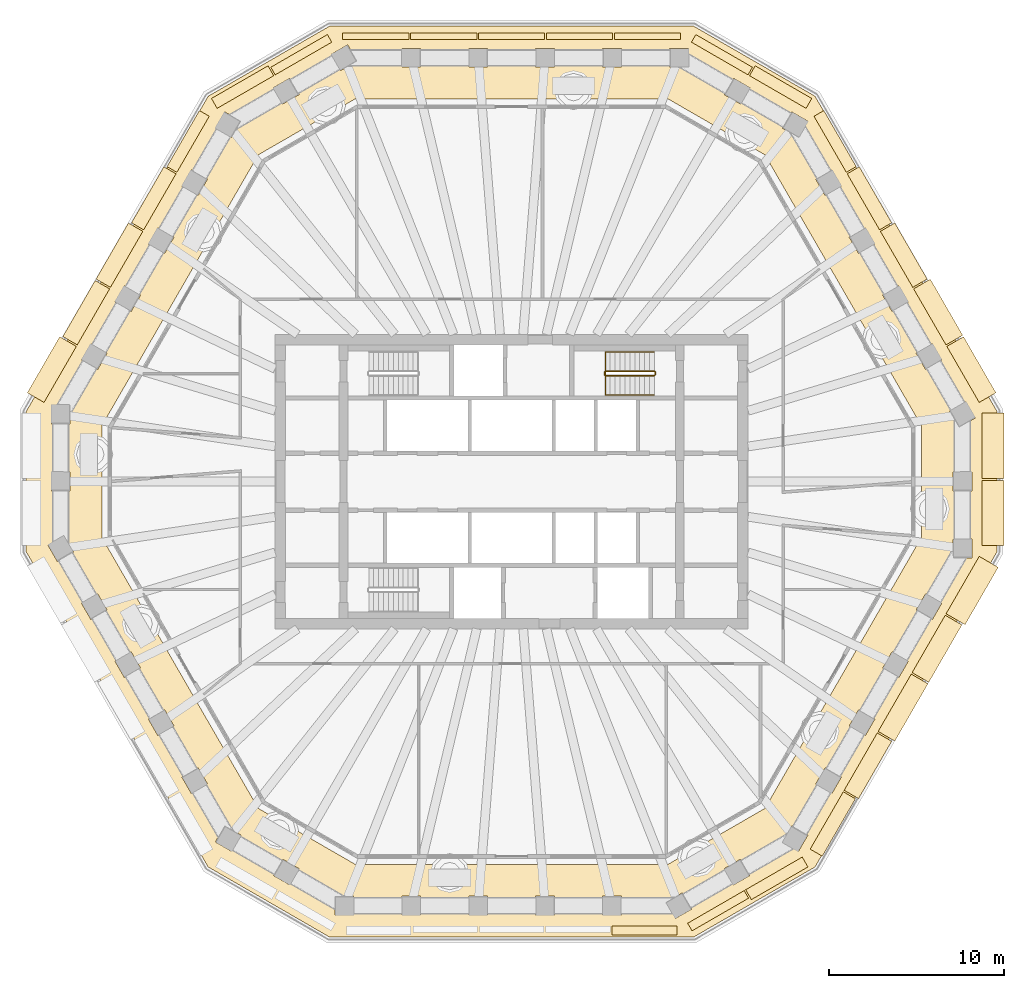
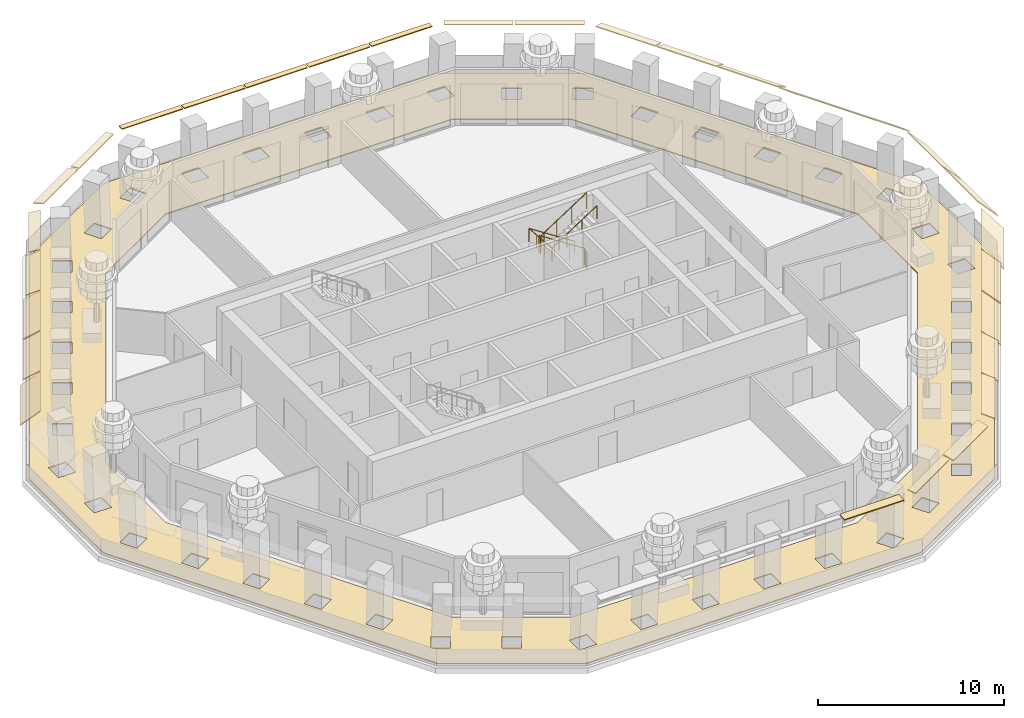
# One storey, part 9 of 12: 30 coverings, 2 railings.
"""IFC4 building model written with IfcOpenShell, lengths in metres."""

import ifcopenshell
import ifcopenshell.guid

model = None  # the IFC model being written
_history = None  # IfcOwnerHistory: only IFC2X3 demands one
_inside = {}  # id of a spatial element -> (the spatial element, [elements in it])
_under = {}  # id of a project, library or spatial element -> (it, [spatial elements below it])
_declared = {}  # id of a project -> (the project, [libraries it declares])
_typed = {}  # id of a type object -> (the type object, [elements of that type])
_made_of = {}  # id of a material, layer set ... -> (it, [elements and type objects made of it])


def new_model(schema):
    """Start an empty IFC model of exactly this schema.

    Asked for "IFC4X3", IfcOpenShell would pick the latest addendum, in which some entities
    have other attributes; the version numbers below select the first issue.
    IFC2X3 requires an IfcOwnerHistory on every rooted entity: one is made here for all.
    """
    global model, _history
    if schema == "IFC4X3":
        model = ifcopenshell.file(schema_version=(4, 3, 0, 0))
    else:
        model = ifcopenshell.file(schema=schema)
    _inside.clear()
    _under.clear()
    _declared.clear()
    _typed.clear()
    _made_of.clear()
    _history = None
    if model.schema == "IFC2X3":
        org = make("IfcOrganization", Name="unknown")
        user = make(
            "IfcPersonAndOrganization",
            ThePerson=make("IfcPerson", FamilyName="unknown"),
            TheOrganization=org,
        )
        app = make(
            "IfcApplication",
            ApplicationDeveloper=org,
            Version="unknown",
            ApplicationFullName="unknown",
            ApplicationIdentifier="unknown",
        )
        _history = make(
            "IfcOwnerHistory",
            OwningUser=user,
            OwningApplication=app,
            ChangeAction="ADDED",
            CreationDate=0,
        )
    return model


def make(cls, **values):
    """One entity of the class cls with the attributes given. An attribute that is None is left unset."""
    return model.create_entity(
        cls, **{name: value for name, value in values.items() if value is not None}
    )


def rooted(cls, **values):
    """An entity with a GlobalId (a new one), such as an element, a storey or a relation."""
    return make(cls, GlobalId=ifcopenshell.guid.new(), OwnerHistory=_history, **values)


def si_unit(unit_type, name, prefix=None):
    """IfcSIUnit, for example si_unit("LENGTHUNIT", "METRE", prefix="MILLI")."""
    return make("IfcSIUnit", UnitType=unit_type, Prefix=prefix, Name=name)


def assignment(units):
    """IfcUnitAssignment: the units of a project."""
    return None if units is None else make("IfcUnitAssignment", Units=units)


def point(xyz):
    """IfcCartesianPoint."""
    return None if xyz is None else make("IfcCartesianPoint", Coordinates=xyz)


def direction(xyz):
    """IfcDirection."""
    return None if xyz is None else make("IfcDirection", DirectionRatios=xyz)


def frame(location, z_axis=None, x_axis=None):
    """IfcAxis2Placement3D, a coordinate frame: its origin and axes. An axis left out is left unset."""
    return make(
        "IfcAxis2Placement3D",
        Location=point(location),
        Axis=direction(z_axis),
        RefDirection=direction(x_axis),
    )


def frame_2d(location, x_axis=None):
    """IfcAxis2Placement2D, a coordinate frame in the plane: its origin and x axis."""
    return make(
        "IfcAxis2Placement2D", Location=point(location), RefDirection=direction(x_axis)
    )


def origin():
    """The frame at (0, 0, 0) with its axes left unset."""
    return frame((0.0, 0.0, 0.0))


def origin_2d():
    """The frame at (0, 0) in the plane with its x axis left unset."""
    return frame_2d((0.0, 0.0))


def place(relative_to, where):
    """IfcLocalPlacement: puts the frame where relative to a parent placement (None: the world)."""
    return make(
        "IfcLocalPlacement", PlacementRelTo=relative_to, RelativePlacement=where
    )


def context(
    kind, dimensions, precision=None, world=None, true_north=None, identifier=None
):
    """IfcGeometricRepresentationContext, for example the 3D "Model" context."""
    return make(
        "IfcGeometricRepresentationContext",
        ContextIdentifier=identifier,
        ContextType=kind,
        CoordinateSpaceDimension=dimensions,
        Precision=precision,
        WorldCoordinateSystem=world,
        TrueNorth=true_north,
    )


def subcontext(parent, identifier, kind, view, scale=None):
    """IfcGeometricRepresentationSubContext, for example "Body" below "Model"."""
    return make(
        "IfcGeometricRepresentationSubContext",
        ContextIdentifier=identifier,
        ContextType=kind,
        ParentContext=parent,
        TargetScale=scale,
        TargetView=view,
    )


def project(units=None, contexts=None):
    """IfcProject with its units and contexts."""
    return rooted(
        "IfcProject",
        Name="project",
        RepresentationContexts=contexts,
        UnitsInContext=assignment(units),
    )


def spatial(cls, under=None, at=None, **own):
    """A site, building, storey or space (cls), placed at a placement, below another one or the project."""
    s = rooted(cls, ObjectPlacement=at, **own)
    if under is not None:
        _under.setdefault(under.id(), (under, []))[1].append(s)
    return s


def polyline(points):
    """IfcPolyline through the points."""
    return make("IfcPolyline", Points=[point(p) for p in points])


def profile(cls, at=None, kind="AREA", **sizes):
    """A parametric profile (cls). Its sizes go by their IFC names, for example OverallWidth=200.0."""
    return make(cls, ProfileType=kind, Position=at, **sizes)


def circle(**sizes):
    """IfcCircleProfileDef."""
    return profile("IfcCircleProfileDef", **sizes)


def outline(outer, holes=None, kind="AREA"):
    """IfcArbitraryClosedProfileDef: a profile drawn as a closed curve; with holes, ...WithVoids."""
    if holes is None:
        return make("IfcArbitraryClosedProfileDef", ProfileType=kind, OuterCurve=outer)
    return make(
        "IfcArbitraryProfileDefWithVoids",
        ProfileType=kind,
        OuterCurve=outer,
        InnerCurves=holes,
    )


def extrude(swept, where, along, depth):
    """IfcExtrudedAreaSolid: the profile swept, set in the frame where, extruded along a direction by depth."""
    return make(
        "IfcExtrudedAreaSolid",
        SweptArea=swept,
        Position=where,
        ExtrudedDirection=direction(along),
        Depth=depth,
    )


def shape(context_of_items, identifier, shape_type, items):
    """IfcShapeRepresentation: the items that make up one representation, for example the "Body"."""
    return make(
        "IfcShapeRepresentation",
        ContextOfItems=context_of_items,
        RepresentationIdentifier=identifier,
        RepresentationType=shape_type,
        Items=items,
    )


def material(Name=None, Category=None):
    """IfcMaterial."""
    return make("IfcMaterial", Name=Name, Category=Category)


def layer(
    of_material, thickness, ventilated=None, Name=None, Category=None, Priority=None
):
    """IfcMaterialLayer: one layer of a wall or slab, of a material (None: an air gap)."""
    return make(
        "IfcMaterialLayer",
        Material=of_material,
        LayerThickness=thickness,
        IsVentilated=ventilated,
        Name=Name,
        Category=Category,
        Priority=Priority,
    )


def layer_set(layers, Name=None):
    """IfcMaterialLayerSet."""
    return make("IfcMaterialLayerSet", MaterialLayers=layers, LayerSetName=Name)


def made_of(thing, what):
    """Note that an element or type object is made of a material, layer set ...; save() writes the relation."""
    if what is not None:
        _made_of.setdefault(what.id(), (what, []))[1].append(thing)
    return thing


def type_object(cls, material=None, **own):
    """A type object (cls), such as IfcWallType, which elements share."""
    return made_of(rooted(cls, **own), material)


def element(
    cls,
    number,
    at=None,
    inside=None,
    cuts=None,
    type_object=None,
    material=None,
    context=None,
    identifier="Body",
    shape_type=None,
    held_by="IfcProductDefinitionShape",
    body=None,
    shapes=None,
    **own,
):
    """One element of the class cls, such as IfcWall. Its Tag is "e" and its number.

    at: its placement. inside: the storey or other place that contains it. cuts: it is an
    opening in that element (IfcRelVoidsElement). A single representation is given by context,
    identifier, shape_type and body (its items); several are given by shapes. held_by: the class
    of the entity that holds the representations. save() writes the other relations.
    """
    e = rooted(cls, Tag="e%d" % number, ObjectPlacement=at, **own)
    if body is not None:
        shapes = [shape(context, identifier, shape_type, body)]
    if shapes is not None:
        e.Representation = make(held_by, Representations=shapes)
    if inside is not None:
        _inside.setdefault(inside.id(), (inside, []))[1].append(e)
    if cuts is not None:
        rooted(
            "IfcRelVoidsElement", RelatingBuildingElement=cuts, RelatedOpeningElement=e
        )
    if type_object is not None:
        _typed.setdefault(type_object.id(), (type_object, []))[1].append(e)
    return made_of(e, material)


def aggregate(whole, parts):
    """IfcRelAggregates: a whole, such as a stair, and the parts it consists of."""
    return rooted("IfcRelAggregates", RelatingObject=whole, RelatedObjects=parts)


def save(model, path):
    """Write the relations noted so far, then the file.

    IfcRelAggregates (storeys below a building ...), IfcRelContainedInSpatialStructure (elements
    in a storey), IfcRelDefinesByType, IfcRelAssociatesMaterial and IfcRelDeclares: one each for
    every whole, place, type object, material and project.
    """
    for whole, parts in _under.values():
        aggregate(whole, parts)
    for where, things in _inside.values():
        rooted(
            "IfcRelContainedInSpatialStructure",
            RelatedElements=things,
            RelatingStructure=where,
        )
    for kind, things in _typed.values():
        rooted("IfcRelDefinesByType", RelatedObjects=things, RelatingType=kind)
    for what, things in _made_of.values():
        rooted("IfcRelAssociatesMaterial", RelatedObjects=things, RelatingMaterial=what)
    for by, libraries in _declared.values():
        rooted("IfcRelDeclares", RelatingContext=by, RelatedDefinitions=libraries)
    model.write(path)


model = new_model("IFC4")

# Units and contexts
model_context = context("Model", 3, precision=1e-05, world=origin(), true_north=direction((0.0, 1.0)))
body_context = subcontext(model_context, "Body", "Model", "MODEL_VIEW")
ifc_project = project(units=[si_unit("LENGTHUNIT", "METRE"), si_unit("AREAUNIT", "SQUARE_METRE"), si_unit("VOLUMEUNIT", "CUBIC_METRE"), si_unit("PLANEANGLEUNIT", "RADIAN"), si_unit("MASSUNIT", "GRAM", prefix="KILO")], contexts=[model_context])

# Site, building, storey
site_placement = place(None, origin())
site = spatial("IfcSite", under=ifc_project, at=site_placement, CompositionType="ELEMENT")
building_placement = place(site_placement, origin())
building = spatial("IfcBuilding", under=site, at=building_placement, Name="Frailejon Research Tower", CompositionType="ELEMENT")
storey_placement = place(building_placement, frame((0.0, 0.0, 211.39990234375)))
storey = spatial("IfcBuildingStorey", under=building, at=storey_placement, Name="L45", CompositionType="ELEMENT", Elevation=211.39990234375)

# Coverings
ifc_material_1 = material(Name="Precast concrete C50/60", Category="concrete")
ifc_layer_1 = layer(ifc_material_1, 0.06005859375)
ifc_layer_set_1 = layer_set([ifc_layer_1], Name="Brim blade depth 1100")
covering_type_1 = type_object("IfcCoveringType", Name="Brim blade depth 1100", PredefinedType="CLADDING", material=ifc_layer_set_1)
for number, where, z_axis, x_axis, name in (
    (1, (24.84521484375, 7.71826171875, 3.85009765625), (0.499993324061, -0.866029258105, 0.0), (0.866029258105, 0.499993324061, 0.0), "Brim blade L45"),
    (2, (22.948974609375, 11.00244140625, 3.85009765625), (0.500013100908, -0.86601783984, 0.0), (0.86601783984, 0.500013100908, 0.0), "Brim blade L45"),
    (3, (-26.69140625, 4.520751953125, 3.85009765625), (0.499993324061, 0.866029258105, 0.0), (-0.866029258105, 0.499993324061, 0.0), "Brim blade L45"),
):
    element("IfcCovering", number, at=place(storey_placement, frame(where, z_axis=z_axis, x_axis=x_axis)), inside=storey, type_object=covering_type_1, Name=name, PredefinedType="CLADDING", context=body_context, shape_type="SweptSolid", body=[
        extrude(outline(polyline([(0.0, -0.078369140625), (1.10009765625, -1.001220703125), (1.10009765625, -0.923095703125), (0.0, 0.0), (0.0, -0.078369140625)])), origin(), (0.0, 0.0, 1.0), 3.6923828125),
    ])
for number, where, z_axis, x_axis, name in (
    (4, (22.81201171875, -10.988525390625, 3.85009765625), (-0.49998724683, -0.866032766705, 0.0), (0.866032766705, -0.49998724683, 0.0), "Brim blade L45"),
    (5, (24.751708984375, -7.62890625, 3.85009765625), (-0.500006579907, -0.86602160484, 0.0), (0.86602160484, -0.500006579907, 0.0), "Brim blade L45"),
):
    element("IfcCovering", number, at=place(storey_placement, frame(where, z_axis=z_axis, x_axis=x_axis)), inside=storey, type_object=covering_type_1, Name=name, PredefinedType="CLADDING", context=body_context, shape_type="SweptSolid", body=[
        extrude(outline(polyline([(0.0, -0.078369140625), (1.10009765625, -1.001220703125), (1.10009765625, -0.923095703125), (0.0, 0.0), (0.0, -0.078369140625)])), origin(), (0.0, 0.0, 1.0), 3.779296875),
    ])
ifc_material_2 = material(Name="Precast concrete C50/60", Category="concrete")
ifc_layer_2 = layer(ifc_material_2, 0.06005859375)
ifc_layer_set_2 = layer_set([ifc_layer_2], Name="Brim blade depth 1250")
covering_type_2 = type_object("IfcCoveringType", Name="Brim blade depth 1250", PredefinedType="CLADDING", material=ifc_layer_set_2)
for number, where, z_axis, x_axis, name in (
    (6, (26.85693359375, 0.07568359375, 3.85009765625), (0.0, -1.0, 0.0), (1.0, 0.0, 0.0), "Brim blade L45"),
    (7, (26.85693359375, 3.90234375, 3.85009765625), (0.0, -1.0, 0.0), (1.0, 0.0, 0.0), "Brim blade L45"),
):
    element("IfcCovering", number, at=place(storey_placement, frame(where, z_axis=z_axis, x_axis=x_axis)), inside=storey, type_object=covering_type_2, Name=name, PredefinedType="CLADDING", context=body_context, shape_type="SweptSolid", body=[
        extrude(outline(polyline([(0.0, -0.0888671875), (1.25, -1.452880859375), (1.25, -1.364013671875), (0.0, 0.0), (0.0, -0.0888671875)])), origin(), (0.0, 0.0, 1.0), 3.726806640625),
    ])
covering_1_placement = place(storey_placement, frame((26.69140625, -4.269287109375, 3.85009765625), z_axis=(-0.500006579907, -0.86602160484, 0.0), x_axis=(0.86602160484, -0.500006579907, 0.0)))
element("IfcCovering", 8, at=covering_1_placement, inside=storey, type_object=covering_type_2, Name="Brim blade L45", PredefinedType="CLADDING", context=body_context, shape_type="SweptSolid", body=[
    extrude(outline(polyline([(0.0, -0.0888671875), (1.25, -1.452880859375), (1.25, -1.364013671875), (0.0, 0.0), (0.0, -0.0888671875)])), origin(), (0.0, 0.0, 1.0), 3.779296875),
])
ifc_material_3 = material(Name="Precast concrete C50/60", Category="concrete")
ifc_layer_3 = layer(ifc_material_3, 0.06005859375)
ifc_layer_set_3 = layer_set([ifc_layer_3], Name="Brim blade depth 350")
covering_type_3 = type_object("IfcCoveringType", Name="Brim blade depth 350", PredefinedType="CLADDING", material=ifc_layer_set_3)
for number, where, z_axis, x_axis, name in (
    (9, (5.868896484375, 25.25, 3.85009765625), (1.0, 0.0, 0.0), (0.0, 1.0, 0.0), "Brim blade L45"),
    (10, (1.98974609375, 25.25, 3.85009765625), (1.0, 0.0, 0.0), (0.0, 1.0, 0.0), "Brim blade L45"),
    (11, (-1.8896484375, 25.25, 3.85009765625), (1.0, 0.0, 0.0), (0.0, 1.0, 0.0), "Brim blade L45"),
    (12, (-5.76904296875, 25.25, 3.85009765625), (1.0, 0.0, 0.0), (0.0, 1.0, 0.0), "Brim blade L45"),
    (13, (-9.648193359375, 25.25, 3.85009765625), (1.0, 0.0, 0.0), (0.0, 1.0, 0.0), "Brim blade L45"),
):
    element("IfcCovering", number, at=place(storey_placement, frame(where, z_axis=z_axis, x_axis=x_axis)), inside=storey, type_object=covering_type_3, Name=name, PredefinedType="CLADDING", context=body_context, shape_type="SweptSolid", body=[
        extrude(outline(polyline([(0.0, -0.06005859375), (0.35009765625, -0.06005859375), (0.35009765625, 0.0), (0.0, 0.0), (0.0, -0.06005859375)])), origin(), (0.0, 0.0, 1.0), 3.779296875),
    ])
ifc_material_4 = material(Name="Precast concrete C50/60", Category="concrete")
ifc_layer_4 = layer(ifc_material_4, 0.06005859375)
ifc_layer_set_4 = layer_set([ifc_layer_4], Name="Brim blade depth 500")
covering_type_4 = type_object("IfcCoveringType", Name="Brim blade depth 500", PredefinedType="CLADDING", material=ifc_layer_set_4)
for number, where, z_axis, x_axis, name in (
    (14, (10.2666015625, 25.084228515625, 3.85009765625), (0.866018477835, -0.500011995905, 0.0), (0.500011995905, 0.866018477835, 0.0), "Brim blade L45"),
    (15, (-13.493896484375, 23.220947265625, 3.85009765625), (0.866018477835, 0.500011995905, 0.0), (-0.500011995905, 0.866018477835, 0.0), "Brim blade L45"),
):
    element("IfcCovering", number, at=place(storey_placement, frame(where, z_axis=z_axis, x_axis=x_axis)), inside=storey, type_object=covering_type_4, Name=name, PredefinedType="CLADDING", context=body_context, shape_type="SweptSolid", body=[
        extrude(outline(polyline([(0.0, -0.060546875), (0.5, -0.130859375), (0.5, -0.0703125), (0.0, 0.0), (0.0, -0.060546875)])), origin(), (0.0, 0.0, 1.0), 3.726806640625),
    ])
covering_2_placement = place(storey_placement, frame((9.4306640625, -25.375732421875, 3.85009765625), z_axis=(-1.0, 0.0, 0.0), x_axis=(0.0, -1.0, 0.0)))
element("IfcCovering", 16, at=covering_2_placement, inside=storey, type_object=covering_type_4, Name="Brim blade L45", PredefinedType="CLADDING", context=body_context, shape_type="SweptSolid", body=[
    extrude(outline(polyline([(0.0, -0.060546875), (0.5, -0.130859375), (0.5, -0.0703125), (0.0, 0.0), (0.0, -0.060546875)])), origin(), (0.0, 0.0, 1.0), 3.692138671875),
])
covering_3_placement = place(storey_placement, frame((13.2763671875, -23.3466796875, 3.85009765625), z_axis=(-0.866018477835, -0.500011995905, 0.0), x_axis=(0.500011995905, -0.866018477835, 0.0)))
element("IfcCovering", 17, at=covering_3_placement, inside=storey, type_object=covering_type_4, Name="Brim blade L45", PredefinedType="CLADDING", context=body_context, shape_type="SweptSolid", body=[
    extrude(outline(polyline([(0.0, -0.060546875), (0.5, -0.130859375), (0.5, -0.0703125), (0.0, 0.0), (0.0, -0.060546875)])), origin(), (0.0, 0.0, 1.0), 3.726806640625),
])
ifc_material_5 = material(Name="Precast concrete C50/60", Category="concrete")
ifc_layer_5 = layer(ifc_material_5, 0.06005859375)
ifc_layer_set_5 = layer_set([ifc_layer_5], Name="Brim blade depth 650")
covering_type_5 = type_object("IfcCoveringType", Name="Brim blade depth 650", PredefinedType="CLADDING", material=ifc_layer_set_5)
covering_4_placement = place(storey_placement, frame((17.2607421875, 20.85498046875, 3.85009765625), z_axis=(0.499993324061, -0.866029258105, 0.0), x_axis=(0.866029258105, 0.499993324061, 0.0)))
element("IfcCovering", 18, at=covering_4_placement, inside=storey, type_object=covering_type_5, Name="Brim blade L45", PredefinedType="CLADDING", context=body_context, shape_type="SweptSolid", body=[
    extrude(outline(polyline([(0.0, -0.0625), (0.64990234375, -0.248779296875), (0.64990234375, -0.186279296875), (0.0, 0.0), (0.0, -0.0625)])), origin(), (0.0, 0.0, 1.0), 3.6923828125),
])
for number, where, z_axis, x_axis, name in (
    (19, (13.58056640625, 23.1708984375, 3.85009765625), (0.866036325866, -0.499981081923, 0.0), (0.499981081923, 0.866036325866, 0.0), "Brim blade L45"),
    (20, (-16.80810546875, 21.3076171875, 3.85009765625), (0.866036325866, 0.499981081923, 0.0), (-0.499981081923, 0.866036325866, 0.0), "Brim blade L45"),
):
    element("IfcCovering", number, at=place(storey_placement, frame(where, z_axis=z_axis, x_axis=x_axis)), inside=storey, type_object=covering_type_5, Name=name, PredefinedType="CLADDING", context=body_context, shape_type="SweptSolid", body=[
        extrude(outline(polyline([(0.0, -0.0625), (0.64990234375, -0.248779296875), (0.64990234375, -0.186279296875), (0.0, 0.0), (0.0, -0.0625)])), origin(), (0.0, 0.0, 1.0), 3.726806640625),
    ])
covering_5_placement = place(storey_placement, frame((-19.106689453125, 17.657470703125, 3.85009765625), z_axis=(0.499993324061, 0.866029258105, 0.0), x_axis=(-0.866029258105, 0.499993324061, 0.0)))
element("IfcCovering", 21, at=covering_5_placement, inside=storey, type_object=covering_type_5, Name="Brim blade L45", PredefinedType="CLADDING", context=body_context, shape_type="SweptSolid", body=[
    extrude(outline(polyline([(0.0, -0.0625), (0.64990234375, -0.248779296875), (0.64990234375, -0.186279296875), (0.0, 0.0), (0.0, -0.0625)])), origin(), (0.0, 0.0, 1.0), 3.6923828125),
])
covering_6_placement = place(storey_placement, frame((16.59033203125, -21.433349609375, 3.85009765625), z_axis=(-0.866036325866, -0.499981081923, 0.0), x_axis=(0.499981081923, -0.866036325866, 0.0)))
element("IfcCovering", 22, at=covering_6_placement, inside=storey, type_object=covering_type_5, Name="Brim blade L45", PredefinedType="CLADDING", context=body_context, shape_type="SweptSolid", body=[
    extrude(outline(polyline([(0.0, -0.0625), (0.64990234375, -0.248779296875), (0.64990234375, -0.186279296875), (0.0, 0.0), (0.0, -0.0625)])), origin(), (0.0, 0.0, 1.0), 3.726806640625),
])
ifc_material_6 = material(Name="Precast concrete C50/60", Category="concrete")
ifc_layer_6 = layer(ifc_material_6, 0.06005859375)
ifc_layer_set_6 = layer_set([ifc_layer_6], Name="Brim blade depth 800")
covering_type_6 = type_object("IfcCoveringType", Name="Brim blade depth 800", PredefinedType="CLADDING", material=ifc_layer_set_6)
for number, where, z_axis, x_axis, name in (
    (23, (19.15673828125, 17.57080078125, 3.85009765625), (0.499993324061, -0.866029258105, 0.0), (0.866029258105, 0.499993324061, 0.0), "Brim blade L45"),
    (24, (-21.0029296875, 14.373291015625, 3.85009765625), (0.499993324061, 0.866029258105, 0.0), (-0.866029258105, 0.499993324061, 0.0), "Brim blade L45"),
):
    element("IfcCovering", number, at=place(storey_placement, frame(where, z_axis=z_axis, x_axis=x_axis)), inside=storey, type_object=covering_type_6, Name=name, PredefinedType="CLADDING", context=body_context, shape_type="SweptSolid", body=[
        extrude(outline(polyline([(0.0, -0.065673828125), (0.800048828125, -0.421875), (0.800048828125, -0.356201171875), (0.0, 0.0), (0.0, -0.065673828125)])), origin(), (0.0, 0.0, 1.0), 3.6923828125),
    ])
covering_7_placement = place(storey_placement, frame((18.9326171875, -17.707763671875, 3.85009765625), z_axis=(-0.49998724683, -0.866032766705, 0.0), x_axis=(0.866032766705, -0.49998724683, 0.0)))
element("IfcCovering", 25, at=covering_7_placement, inside=storey, type_object=covering_type_6, Name="Brim blade L45", PredefinedType="CLADDING", context=body_context, shape_type="SweptSolid", body=[
    extrude(outline(polyline([(0.0, -0.065673828125), (0.800048828125, -0.421875), (0.800048828125, -0.356201171875), (0.0, 0.0), (0.0, -0.065673828125)])), origin(), (0.0, 0.0, 1.0), 3.779296875),
])
ifc_material_7 = material(Name="Precast concrete C50/60", Category="concrete")
ifc_layer_7 = layer(ifc_material_7, 0.06005859375)
ifc_layer_set_7 = layer_set([ifc_layer_7], Name="Brim blade depth 950")
covering_type_7 = type_object("IfcCoveringType", Name="Brim blade depth 950", PredefinedType="CLADDING", material=ifc_layer_set_7)
for number, where, z_axis, x_axis, name in (
    (26, (21.052978515625, 14.28662109375, 3.85009765625), (0.500004743171, -0.866022665296, 0.0), (0.866022665296, 0.500004743171, 0.0), "Brim blade L45"),
    (27, (-22.89892578125, 11.089111328125, 3.85009765625), (0.500004743171, 0.866022665296, 0.0), (-0.866022665296, 0.500004743171, 0.0), "Brim blade L45"),
):
    element("IfcCovering", number, at=place(storey_placement, frame(where, z_axis=z_axis, x_axis=x_axis)), inside=storey, type_object=covering_type_7, Name=name, PredefinedType="CLADDING", context=body_context, shape_type="SweptSolid", body=[
        extrude(outline(polyline([(0.0, -0.07080078125), (0.949951171875, -0.664306640625), (0.949951171875, -0.593505859375), (0.0, 0.0), (0.0, -0.07080078125)])), origin(), (0.0, 0.0, 1.0), 3.692138671875),
    ])
covering_8_placement = place(storey_placement, frame((-24.795166015625, 7.804931640625, 3.85009765625), z_axis=(0.500013100908, 0.86601783984, 0.0), x_axis=(-0.86601783984, 0.500013100908, 0.0)))
element("IfcCovering", 28, at=covering_8_placement, inside=storey, type_object=covering_type_7, Name="Brim blade L45", PredefinedType="CLADDING", context=body_context, shape_type="SweptSolid", body=[
    extrude(outline(polyline([(0.0, -0.07080078125), (0.949951171875, -0.664306640625), (0.949951171875, -0.593505859375), (0.0, 0.0), (0.0, -0.07080078125)])), origin(), (0.0, 0.0, 1.0), 3.6923828125),
])
covering_9_placement = place(storey_placement, frame((20.872314453125, -14.34814453125, 3.85009765625), z_axis=(-0.500006579907, -0.86602160484, 0.0), x_axis=(0.86602160484, -0.500006579907, 0.0)))
element("IfcCovering", 29, at=covering_9_placement, inside=storey, type_object=covering_type_7, Name="Brim blade L45", PredefinedType="CLADDING", context=body_context, shape_type="SweptSolid", body=[
    extrude(outline(polyline([(0.0, -0.07080078125), (0.949951171875, -0.664306640625), (0.949951171875, -0.593505859375), (0.0, 0.0), (0.0, -0.07080078125)])), origin(), (0.0, 0.0, 1.0), 3.779296875),
])
ifc_material_8 = material(Name="Bituminous roofing membrane with gravel ballast")
ifc_layer_8 = layer(ifc_material_8, 0.06005859375)
ifc_layer_set_8 = layer_set([ifc_layer_8], Name="Roofing membrane and ballast 60")
covering_type_8 = type_object("IfcCoveringType", Name="Roofing membrane and ballast 60", PredefinedType="ROOFING", material=ifc_layer_set_8)
covering_10_placement = place(storey_placement, origin())
element("IfcCovering", 30, at=covering_10_placement, inside=storey, type_object=covering_type_8, Name="Roofing Setback terrace slab L45", PredefinedType="ROOFING", context=body_context, shape_type="SweptSolid", body=[
    extrude(outline(polyline([(17.320556640625, -22.0), (27.712890625, -4.0), (27.712890625, 4.0), (17.320556640625, 22.0), (10.392333984375, 26.0), (-10.392333984375, 26.0), (-17.320556640625, 22.0), (-27.712890625, 4.0), (-27.712890625, -4.0), (-17.320556640625, -22.0), (-10.392333984375, -26.0), (10.392333984375, -26.0), (17.320556640625, -22.0)]), holes=[polyline([(23.384521484375, 3.197021484375), (23.384521484375, -3.197021484375), (14.4609375, -18.65283203125), (8.923583984375, -21.85009765625), (-8.923583984375, -21.85009765625), (-14.4609375, -18.65283203125), (-23.384521484375, -3.197021484375), (-23.384521484375, 3.197021484375), (-14.4609375, 18.65283203125), (-8.923583984375, 21.85009765625), (8.923583984375, 21.85009765625), (14.4609375, 18.65283203125), (23.384521484375, 3.197021484375)]), polyline([(25.539306640625, 3.09619140625), (25.005615234375, 4.0185546875), (25.010986328125, 4.02783203125), (25.9306640625, 4.55908203125), (26.46435546875, 3.63671875), (26.458984375, 3.62744140625), (25.539306640625, 3.09619140625)]), polyline([(26.265380859375, -4.361328125), (25.199951171875, -4.361572265625), (25.198974609375, -3.29931640625), (25.204345703125, -3.290283203125), (26.27001953125, -3.289794921875), (26.27099609375, -4.35205078125), (26.265380859375, -4.361328125)]), polyline([(25.199951171875, -0.534912109375), (25.198974609375, 0.52734375), (25.204345703125, 0.53662109375), (26.27001953125, 0.536865234375), (26.27099609375, -0.525390625), (26.265380859375, -0.53466796875), (25.199951171875, -0.534912109375)]), polyline([(24.549560546875, -6.948974609375), (24.01953125, -7.86669921875), (23.093017578125, -7.331787109375), (23.0986328125, -7.322021484375), (23.628662109375, -6.404052734375), (24.55517578125, -6.939208984375), (24.549560546875, -6.948974609375)]), polyline([(24.54736328125, 6.935791015625), (23.62841796875, 6.405517578125), (23.094482421875, 7.329345703125), (23.1015625, 7.337646484375), (24.0205078125, 7.8681640625), (24.554443359375, 6.944091796875), (24.54736328125, 6.935791015625)]), polyline([(21.717529296875, 9.714599609375), (21.18310546875, 10.64013671875), (21.192138671875, 10.64697265625), (22.110107421875, 11.177001953125), (22.644775390625, 10.25146484375), (22.635498046875, 10.24462890625), (21.717529296875, 9.714599609375)]), polyline([(22.11474609375, -11.1669921875), (22.109619140625, -11.17578125), (21.1826171875, -10.641845703125), (21.711669921875, -9.723388671875), (21.716796875, -9.71435546875), (22.643798828125, -10.248291015625), (22.11474609375, -11.1669921875)]), polyline([(19.806396484375, 13.02490234375), (19.27197265625, 13.95068359375), (20.18994140625, 14.480712890625), (20.200439453125, 14.485107421875), (20.73486328125, 13.5595703125), (19.81689453125, 13.029296875), (19.806396484375, 13.02490234375)]), polyline([(20.19873046875, -14.485595703125), (19.271728515625, -13.95166015625), (19.80078125, -13.033203125), (19.805908203125, -13.024169921875), (20.733154296875, -13.55810546875), (20.2041015625, -14.476806640625), (20.19873046875, -14.485595703125)]), polyline([(17.9052734375, 16.337890625), (17.89453125, 16.335693359375), (17.361572265625, 17.260009765625), (18.280517578125, 17.79052734375), (18.291015625, 17.79248046875), (18.82421875, 16.868408203125), (17.9052734375, 16.337890625)]), polyline([(18.287109375, -17.7958984375), (17.3603515625, -17.2607421875), (17.890380859375, -16.343017578125), (17.896240234375, -16.333251953125), (18.82275390625, -16.868408203125), (18.292724609375, -17.7861328125), (18.287109375, -17.7958984375)]), polyline([(16.370361328125, 19.64599609375), (15.45068359375, 20.177734375), (15.983642578125, 21.1005859375), (15.994140625, 21.1005859375), (16.913818359375, 20.56884765625), (16.381103515625, 19.64599609375), (16.370361328125, 19.64599609375)]), polyline([(16.90576171875, -20.1884765625), (16.3759765625, -21.105712890625), (15.449462890625, -20.570556640625), (15.45556640625, -20.56005859375), (15.9853515625, -19.642578125), (16.911865234375, -20.177978515625), (16.90576171875, -20.1884765625)]), polyline([(13.056396484375, 21.559326171875), (12.13671875, 22.091064453125), (12.669677734375, 23.013916015625), (12.68017578125, 23.013916015625), (13.599853515625, 22.482177734375), (13.06689453125, 21.559326171875), (13.056396484375, 21.559326171875)]), polyline([(13.590576171875, -22.488037109375), (12.67041015625, -23.018798828125), (12.137451171875, -22.09619140625), (12.142822265625, -22.0869140625), (13.062744140625, -21.55615234375), (13.595947265625, -22.47900390625), (13.590576171875, -22.488037109375)]), polyline([(9.3564453125, -24.932373046875), (8.823486328125, -24.009521484375), (8.828857421875, -24.00048828125), (9.748779296875, -23.469482421875), (10.281982421875, -24.392333984375), (10.276611328125, -24.401611328125), (9.3564453125, -24.932373046875)]), polyline([(9.0185546875, 24.735107421875), (10.090087890625, 24.735107421875), (10.090087890625, 23.6650390625), (9.0185546875, 23.6650390625), (9.0185546875, 24.735107421875)]), polyline([(5.197021484375, 24.735107421875), (6.26806640625, 24.735107421875), (6.26806640625, 23.6650390625), (5.197021484375, 23.6650390625), (5.197021484375, 24.735107421875)]), polyline([(6.266845703125, -24.7265625), (6.26318359375, -24.73681640625), (5.1962890625, -24.736328125), (5.1962890625, -23.67529296875), (5.19970703125, -23.6650390625), (6.266845703125, -23.66552734375), (6.266845703125, -24.7265625)]), polyline([(2.446044921875, 24.735107421875), (2.446044921875, 23.6650390625), (1.37548828125, 23.6650390625), (1.37548828125, 24.735107421875), (2.446044921875, 24.735107421875)]), polyline([(1.37548828125, -24.73681640625), (1.375244140625, -23.6767578125), (1.37646484375, -23.665283203125), (2.445556640625, -23.665283203125), (2.44580078125, -24.72509765625), (2.4443359375, -24.736572265625), (1.37548828125, -24.73681640625)]), polyline([(-1.37548828125, -24.73681640625), (-2.4443359375, -24.736572265625), (-2.44580078125, -24.72509765625), (-2.445556640625, -23.665283203125), (-1.37646484375, -23.665283203125), (-1.375244140625, -23.6767578125), (-1.37548828125, -24.73681640625)]), polyline([(-1.37548828125, 24.735107421875), (-1.37548828125, 23.6650390625), (-2.446044921875, 23.6650390625), (-2.446044921875, 24.735107421875), (-1.37548828125, 24.735107421875)]), polyline([(-5.1962890625, -24.736328125), (-6.26318359375, -24.73681640625), (-6.266845703125, -24.7265625), (-6.266845703125, -23.66552734375), (-5.19970703125, -23.6650390625), (-5.1962890625, -23.67529296875), (-5.1962890625, -24.736328125)]), polyline([(-6.26806640625, 24.735107421875), (-5.197021484375, 24.735107421875), (-5.197021484375, 23.6650390625), (-6.26806640625, 23.6650390625), (-6.26806640625, 24.735107421875)]), polyline([(-9.742431640625, 23.472900390625), (-9.7529296875, 23.472900390625), (-10.285888671875, 24.3955078125), (-9.3662109375, 24.92724609375), (-9.355712890625, 24.92724609375), (-8.82275390625, 24.00439453125), (-9.742431640625, 23.472900390625)]), polyline([(-10.0830078125, -24.73681640625), (-10.08837890625, -24.7275390625), (-10.087890625, -23.665283203125), (-9.0224609375, -23.6650390625), (-9.01708984375, -23.67431640625), (-9.017333984375, -24.736572265625), (-10.0830078125, -24.73681640625)]), polyline([(-13.06689453125, 21.559326171875), (-13.599853515625, 22.482177734375), (-12.68017578125, 23.013916015625), (-12.669677734375, 23.013916015625), (-12.13671875, 22.091064453125), (-13.056396484375, 21.559326171875), (-13.06689453125, 21.559326171875)]), polyline([(-12.67041015625, -23.018798828125), (-13.590576171875, -22.488037109375), (-13.595947265625, -22.47900390625), (-13.062744140625, -21.55615234375), (-12.142822265625, -22.0869140625), (-12.137451171875, -22.09619140625), (-12.67041015625, -23.018798828125)]), polyline([(-15.983154296875, 19.646240234375), (-15.993896484375, 19.646240234375), (-16.913818359375, 20.17724609375), (-16.38134765625, 21.100341796875), (-16.370849609375, 21.100341796875), (-15.450927734375, 20.5693359375), (-15.983154296875, 19.646240234375)]), polyline([(-15.45166015625, -20.1826171875), (-15.984130859375, -21.10546875), (-16.904296875, -20.5751953125), (-16.90966796875, -20.56591796875), (-16.377197265625, -19.64306640625), (-15.456787109375, -20.17333984375), (-15.45166015625, -20.1826171875)]), polyline([(-17.3603515625, -17.2607421875), (-18.287109375, -17.7958984375), (-18.292724609375, -17.7861328125), (-18.82275390625, -16.868408203125), (-17.896240234375, -16.333251953125), (-17.890380859375, -16.343017578125), (-17.3603515625, -17.2607421875)]), polyline([(-17.361572265625, 17.260009765625), (-17.89453125, 16.335693359375), (-17.9052734375, 16.337890625), (-18.82421875, 16.868408203125), (-18.291015625, 17.79248046875), (-18.280517578125, 17.79052734375), (-17.361572265625, 17.260009765625)]), polyline([(-19.271728515625, -13.95166015625), (-20.19873046875, -14.485595703125), (-20.2041015625, -14.476806640625), (-20.733154296875, -13.55810546875), (-19.805908203125, -13.024169921875), (-19.80078125, -13.033203125), (-19.271728515625, -13.95166015625)]), polyline([(-19.27197265625, 13.95068359375), (-19.806396484375, 13.02490234375), (-19.81689453125, 13.029296875), (-20.73486328125, 13.5595703125), (-20.200439453125, 14.485107421875), (-20.18994140625, 14.480712890625), (-19.27197265625, 13.95068359375)]), polyline([(-22.109619140625, -11.17578125), (-22.11474609375, -11.1669921875), (-22.643798828125, -10.248291015625), (-21.716796875, -9.71435546875), (-21.711669921875, -9.723388671875), (-21.1826171875, -10.641845703125), (-22.109619140625, -11.17578125)]), polyline([(-21.717529296875, 9.714599609375), (-22.635498046875, 10.24462890625), (-22.644775390625, 10.25146484375), (-22.110107421875, 11.177001953125), (-21.192138671875, 10.64697265625), (-21.18310546875, 10.64013671875), (-21.717529296875, 9.714599609375)]), polyline([(-24.01953125, -7.86669921875), (-24.549560546875, -6.948974609375), (-24.55517578125, -6.939208984375), (-23.628662109375, -6.404052734375), (-23.0986328125, -7.322021484375), (-23.093017578125, -7.331787109375), (-24.01953125, -7.86669921875)]), polyline([(-23.62841796875, 6.405517578125), (-24.54736328125, 6.935791015625), (-24.554443359375, 6.944091796875), (-24.0205078125, 7.8681640625), (-23.1015625, 7.337646484375), (-23.094482421875, 7.329345703125), (-23.62841796875, 6.405517578125)]), polyline([(-25.00390625, -4.0224609375), (-25.9306640625, -4.55712890625), (-25.936767578125, -4.546630859375), (-26.466064453125, -3.629150390625), (-25.539306640625, -3.094482421875), (-25.533203125, -3.10498046875), (-25.00390625, -4.0224609375)]), polyline([(-25.198974609375, 0.52734375), (-25.199951171875, -0.534912109375), (-26.265380859375, -0.53466796875), (-26.27099609375, -0.525390625), (-26.27001953125, 0.536865234375), (-25.204345703125, 0.53662109375), (-25.198974609375, 0.52734375)]), polyline([(-25.198974609375, 4.35400390625), (-25.199951171875, 3.291748046875), (-26.265380859375, 3.2919921875), (-26.27099609375, 3.30126953125), (-26.27001953125, 4.363525390625), (-25.204345703125, 4.36328125), (-25.198974609375, 4.35400390625)])]), origin(), (0.0, 0.0, 1.0), 0.06005859375),
])

# Railings
ifc_material_9 = material(Name="Stainless steel", Category="steel")
railing_type_1 = type_object("IfcRailingType", Name="Stair guard 1100", PredefinedType="GUARDRAIL", material=ifc_material_9)
railing_1_placement = place(storey_placement, frame((8.199951171875, 6.10009765625, 0.0)))
element("IfcRailing", 31, at=railing_1_placement, inside=storey, type_object=railing_type_1, Name="L45 ST3 stair guard 1", PredefinedType="GUARDRAIL", context=body_context, shape_type="SweptSolid", body=[
    extrude(circle(Radius=0.02392578125, at=origin_2d()), frame((0.0, 0.0, 1.076171875), z_axis=(0.0, 1.0, 0.0), x_axis=(-1.0, 0.0, 0.0)), (0.0, 0.0, 1.0), 0.14990234375),
    extrude(circle(Radius=0.02392578125, at=origin_2d()), frame((0.0, 0.14990234375, 1.076171875), z_axis=(-0.256435381639, 0.256435381639, 0.931923704005), x_axis=(-0.707106781187, -0.707106781187, 0.0)), (0.0, 0.0, 1.0), 0.195068359375),
    extrude(circle(Radius=0.02392578125, at=origin_2d()), frame((-0.050048828125, 0.199951171875, 1.2578125), z_axis=(-0.83868413941, 0.0, 0.544618136222), x_axis=(0.0, -1.0, 0.0)), (0.0, 0.0, 1.0), 3.33837890625),
    extrude(circle(Radius=0.02392578125, at=origin_2d()), frame((-2.849853515625, 0.199951171875, 3.076171875), z_axis=(-0.707106781187, -0.707106781187, 0.0), x_axis=(0.707106781187, -0.707106781187, 0.0)), (0.0, 0.0, 1.0), 0.07080078125),
    extrude(circle(Radius=0.02392578125, at=origin_2d()), frame((-2.89990234375, 0.14990234375, 3.076171875), z_axis=(0.0, -1.0, 0.0), x_axis=(1.0, 0.0, 0.0)), (0.0, 0.0, 1.0), 0.14990234375),
    extrude(circle(Radius=0.02392578125, at=origin_2d()), frame((-2.89990234375, 0.0, 3.076171875), z_axis=(0.256435381639, -0.256435381639, 0.931923704005), x_axis=(0.707106781187, 0.707106781187, 0.0)), (0.0, 0.0, 1.0), 0.195068359375),
    extrude(circle(Radius=0.02392578125, at=origin_2d()), frame((-2.849853515625, -0.050048828125, 3.2578125), z_axis=(0.83868413941, 0.0, 0.544618136222), x_axis=(0.0, 1.0, 0.0)), (0.0, 0.0, 1.0), 3.33837890625),
    extrude(circle(Radius=0.02099609375, at=origin_2d()), origin(), (0.0, 0.0, 1.0), 1.052001953125),
    extrude(circle(Radius=0.02099609375, at=origin_2d()), frame((0.0, 0.14990234375, 0.0)), (0.0, 0.0, 1.0), 1.052001953125),
    extrude(circle(Radius=0.02099609375, at=origin_2d()), frame((-0.050048828125, 0.199951171875, 0.181884765625)), (0.0, 0.0, 1.0), 1.052001953125),
    extrude(circle(Radius=0.02099609375, at=origin_2d()), frame((-0.9833984375, 0.199951171875, 0.787841796875)), (0.0, 0.0, 1.0), 1.052001953125),
    extrude(circle(Radius=0.02099609375, at=origin_2d()), frame((-1.91650390625, 0.199951171875, 1.39404296875)), (0.0, 0.0, 1.0), 1.052001953125),
    extrude(circle(Radius=0.02099609375, at=origin_2d()), frame((-2.849853515625, 0.199951171875, 2.0)), (0.0, 0.0, 1.0), 1.052001953125),
    extrude(circle(Radius=0.02099609375, at=origin_2d()), frame((-2.89990234375, 0.14990234375, 2.0)), (0.0, 0.0, 1.0), 1.052001953125),
    extrude(circle(Radius=0.02099609375, at=origin_2d()), frame((-2.89990234375, 0.0, 2.0)), (0.0, 0.0, 1.0), 1.052001953125),
    extrude(circle(Radius=0.02099609375, at=origin_2d()), frame((-2.849853515625, -0.050048828125, 2.181884765625)), (0.0, 0.0, 1.0), 1.052001953125),
    extrude(circle(Radius=0.02099609375, at=origin_2d()), frame((-1.91650390625, -0.050048828125, 2.787841796875)), (0.0, 0.0, 1.0), 1.052001953125),
    extrude(circle(Radius=0.02099609375, at=origin_2d()), frame((-0.9833984375, -0.050048828125, 3.39404296875)), (0.0, 0.0, 1.0), 1.052001953125),
    extrude(circle(Radius=0.02099609375, at=origin_2d()), frame((-0.050048828125, -0.050048828125, 4.0)), (0.0, 0.0, 1.0), 1.052001953125),
])
ifc_material_10 = material(Name="Stainless steel", Category="steel")
railing_type_2 = type_object("IfcRailingType", Name="Stair handrail 900", PredefinedType="HANDRAIL", material=ifc_material_10)
railing_2_placement = place(storey_placement, frame((8.14990234375, 7.39990234375, 0.181884765625)))
element("IfcRailing", 32, at=railing_2_placement, inside=storey, type_object=railing_type_2, Name="L45 ST3 stair handrail 1", PredefinedType="HANDRAIL", context=body_context, shape_type="SweptSolid", body=[
    extrude(circle(Radius=0.02392578125, at=origin_2d()), frame((0.0, 0.0, 0.8759765625), z_axis=(-0.83868413941, 0.0, 0.544618136222), x_axis=(0.0, -1.0, 0.0)), (0.0, 0.0, 1.0), 3.33837890625),
    extrude(circle(Radius=0.02392578125, at=origin_2d()), frame((-2.7998046875, 0.0, 2.69384765625), z_axis=(0.0, -0.997255538948, 0.074036410216), x_axis=(1.0, 0.0, 0.0)), (0.0, 0.0, 1.0), 2.456787109375),
    extrude(circle(Radius=0.02392578125, at=origin_2d()), frame((-2.7998046875, -2.449951171875, 2.8759765625), z_axis=(0.83868413941, 0.0, 0.544618136222), x_axis=(0.0, 1.0, 0.0)), (0.0, 0.0, 1.0), 3.33837890625),
    extrude(circle(Radius=0.02099609375, at=origin_2d()), origin(), (0.0, 0.0, 1.0), 0.851806640625),
    extrude(circle(Radius=0.02099609375, at=origin_2d()), frame((-0.933349609375, 0.0, 0.60595703125)), (0.0, 0.0, 1.0), 0.851806640625),
    extrude(circle(Radius=0.02099609375, at=origin_2d()), frame((-1.866455078125, 0.0, 1.212158203125)), (0.0, 0.0, 1.0), 0.851806640625),
    extrude(circle(Radius=0.02099609375, at=origin_2d()), frame((-2.7998046875, 0.0, 1.818115234375)), (0.0, 0.0, 1.0), 0.851806640625),
    extrude(circle(Radius=0.02099609375, at=origin_2d()), frame((-2.7998046875, -0.816650390625, 1.878662109375)), (0.0, 0.0, 1.0), 0.851806640625),
    extrude(circle(Radius=0.02099609375, at=origin_2d()), frame((-2.7998046875, -1.63330078125, 1.939453125)), (0.0, 0.0, 1.0), 0.851806640625),
    extrude(circle(Radius=0.02099609375, at=origin_2d()), frame((-2.7998046875, -2.449951171875, 2.0)), (0.0, 0.0, 1.0), 0.851806640625),
    extrude(circle(Radius=0.02099609375, at=origin_2d()), frame((-1.866455078125, -2.449951171875, 2.60595703125)), (0.0, 0.0, 1.0), 0.851806640625),
    extrude(circle(Radius=0.02099609375, at=origin_2d()), frame((-0.933349609375, -2.449951171875, 3.212158203125)), (0.0, 0.0, 1.0), 0.851806640625),
    extrude(circle(Radius=0.02099609375, at=origin_2d()), frame((0.0, -2.449951171875, 3.818115234375)), (0.0, 0.0, 1.0), 0.851806640625),
])

save(model, "model.ifc")
